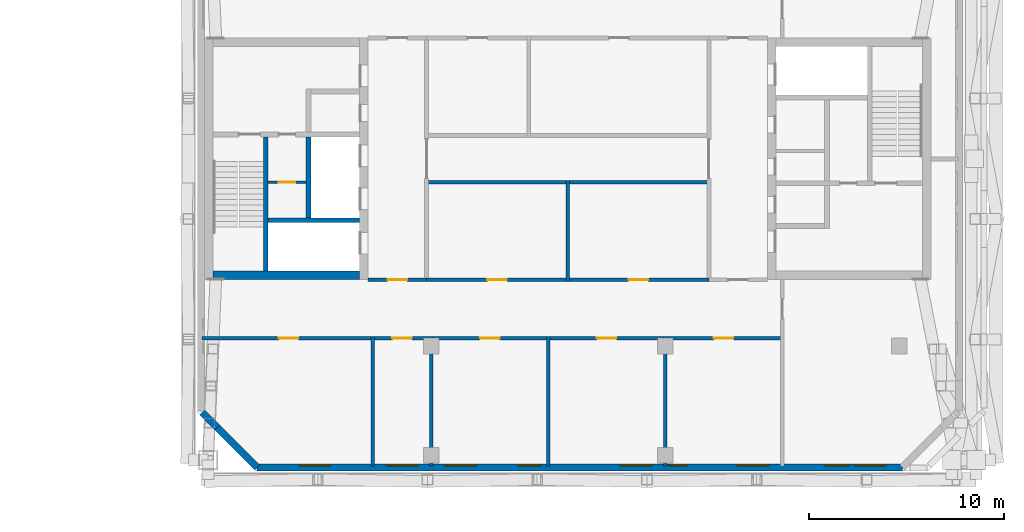
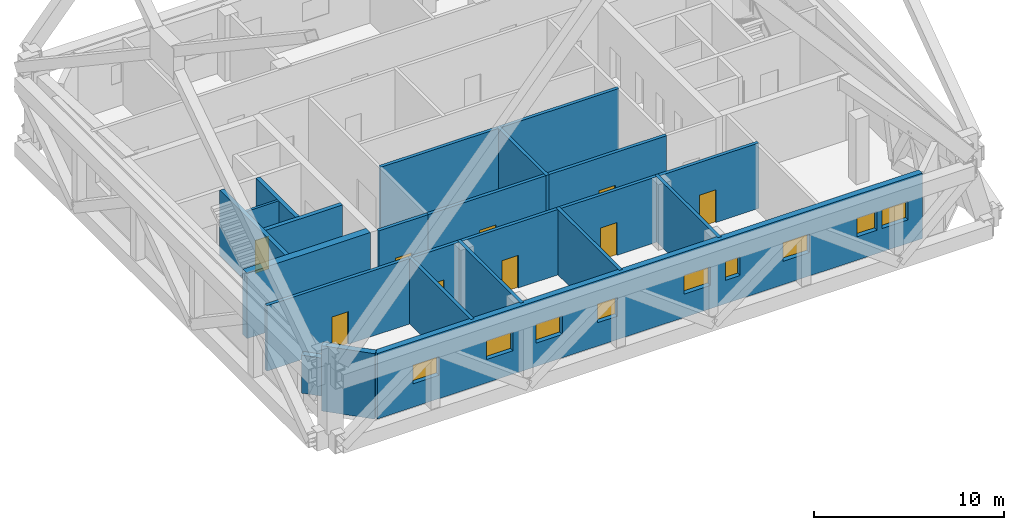
# One storey, part 11 of 20: 17 walls, 9 doors, 9 windows, 18 openings.
"""IFC4 building model written with IfcOpenShell, lengths in metres."""

from ifc_helpers import new_model, si_unit, direction, frame, frame_2d, origin, place, context, subcontext, project, spatial, rectangle, extrude, material, layer, layer_set, type_object, element, fill, save


model = new_model("IFC4")

# Units and contexts
model_context = context("Model", 3, precision=1e-05, world=origin(), true_north=direction((0.0, 1.0)))
body_context = subcontext(model_context, "Body", "Model", "MODEL_VIEW")
ifc_project = project(units=[si_unit("LENGTHUNIT", "METRE"), si_unit("AREAUNIT", "SQUARE_METRE"), si_unit("VOLUMEUNIT", "CUBIC_METRE"), si_unit("PLANEANGLEUNIT", "RADIAN"), si_unit("MASSUNIT", "GRAM", prefix="KILO")], contexts=[model_context])

# Site, building, storey
site_placement = place(None, origin())
site = spatial("IfcSite", under=ifc_project, at=site_placement, CompositionType="ELEMENT")
building_placement = place(site_placement, origin())
building = spatial("IfcBuilding", under=site, at=building_placement, Name="Tuart Gate Housing", CompositionType="ELEMENT")
storey_placement = place(building_placement, frame((0.0, 0.0, 167.10009765625)))
storey = spatial("IfcBuildingStorey", under=building, at=storey_placement, Name="L47", CompositionType="ELEMENT", Elevation=167.10009765625)

# Walls
ifc_material_1 = material(Name="Brick", Category="masonry")
ifc_layer_1 = layer(ifc_material_1, 0.360107421875)
ifc_layer_set_1 = layer_set([ifc_layer_1], Name="Brick pier and spandrel wall 360")
wall_type_1 = type_object("IfcWallType", Name="Brick pier and spandrel wall 360", PredefinedType="STANDARD", material=ifc_layer_set_1)
wall_1_placement = place(storey_placement, frame((131.25390625, 57.000732421875, 0.952880859375), z_axis=(0.0, 0.0, 1.0), x_axis=(0.706994764273, -0.707218780358, 0.0)))
element("IfcWall", 1, at=wall_1_placement, inside=storey, type_object=wall_type_1, Name="External wall B-SW L47", PredefinedType="STANDARD", context=body_context, shape_type="SweptSolid", body=[
    extrude(rectangle(XDim=1.08984375, YDim=0.360107421875, at=frame_2d((0.544921875, 0.0))), origin(), (0.0, 0.0, 1.0), 2.444091796875),
])
wall_2_placement = place(storey_placement, frame((132.0244140625, 56.22998046875, 0.0), z_axis=(0.0, 0.0, 1.0), x_axis=(0.707148882153, -0.707064677713, 0.0)))
element("IfcWall", 2, at=wall_2_placement, inside=storey, type_object=wall_type_1, Name="External wall B-SW L47", PredefinedType="STANDARD", context=body_context, shape_type="SweptSolid", body=[
    extrude(rectangle(XDim=2.8994140625, YDim=0.360107421875, at=frame_2d((1.44970703125, 0.0))), origin(), (0.0, 0.0, 1.0), 4.199951171875),
])

# Wall, openings, windows
wall_3_placement = place(storey_placement, frame((134.07470703125, 54.179931640625, 0.0), z_axis=(0.0, 0.0, 1.0), x_axis=(1.0, 0.0, 0.0)))
wall_3 = element("IfcWall", 3, at=wall_3_placement, inside=storey, type_object=wall_type_1, Name="External wall B-S L47", PredefinedType="STANDARD", context=body_context, shape_type="SweptSolid", body=[
    extrude(rectangle(XDim=33.100830078125, YDim=0.360107421875, at=frame_2d((16.55029296875, 0.0))), origin(), (0.0, 0.0, 1.0), 4.199951171875),
])
opening_1_placement = place(wall_3_placement, frame((2.14990234375, 0.0, 1.5)))
opening_1 = element("IfcOpeningElement", 4, at=opening_1_placement, cuts=wall_3, Name="Opening W3", PredefinedType="OPENING", context=body_context, shape_type="SweptSolid", body=[
    extrude(rectangle(XDim=1.60009765625, YDim=1.199951171875, at=frame_2d((0.800048828125, 0.60009765625))), frame((0.0, 0.18994140625, 0.0), z_axis=(0.0, -1.0, 0.0), x_axis=(1.0, 0.0, 0.0)), (0.0, 0.0, 1.0), 0.380126953125),
])
opening_2_placement = place(wall_3_placement, frame((6.62548828125, 0.0, 1.5)))
opening_2 = element("IfcOpeningElement", 5, at=opening_2_placement, cuts=wall_3, Name="Opening W3", PredefinedType="OPENING", context=body_context, shape_type="SweptSolid", body=[
    extrude(rectangle(XDim=1.60009765625, YDim=1.199951171875, at=frame_2d((0.800048828125, 0.60009765625))), frame((0.0, 0.18994140625, 0.0), z_axis=(0.0, -1.0, 0.0), x_axis=(1.0, 0.0, 0.0)), (0.0, 0.0, 1.0), 0.380126953125),
])
opening_3_placement = place(wall_3_placement, frame((9.62548828125, 0.0, 1.5)))
opening_3 = element("IfcOpeningElement", 6, at=opening_3_placement, cuts=wall_3, Name="Opening W3", PredefinedType="OPENING", context=body_context, shape_type="SweptSolid", body=[
    extrude(rectangle(XDim=1.60009765625, YDim=1.199951171875, at=frame_2d((0.800048828125, 0.60009765625))), frame((0.0, 0.18994140625, 0.0), z_axis=(0.0, -1.0, 0.0), x_axis=(1.0, 0.0, 0.0)), (0.0, 0.0, 1.0), 0.380126953125),
])
opening_4_placement = place(wall_3_placement, frame((13.37548828125, 0.0, 1.5)))
opening_4 = element("IfcOpeningElement", 7, at=opening_4_placement, cuts=wall_3, Name="Opening W3A", PredefinedType="OPENING", context=body_context, shape_type="SweptSolid", body=[
    extrude(rectangle(XDim=1.199951171875, YDim=1.199951171875, at=frame_2d((0.60009765625, 0.60009765625))), frame((0.0, 0.18994140625, 0.0), z_axis=(0.0, -1.0, 0.0), x_axis=(1.0, 0.0, 0.0)), (0.0, 0.0, 1.0), 0.380126953125),
])
opening_5_placement = place(wall_3_placement, frame((18.62548828125, 0.0, 1.5)))
opening_5 = element("IfcOpeningElement", 8, at=opening_5_placement, cuts=wall_3, Name="Opening W3", PredefinedType="OPENING", context=body_context, shape_type="SweptSolid", body=[
    extrude(rectangle(XDim=1.60009765625, YDim=1.199951171875, at=frame_2d((0.800048828125, 0.60009765625))), frame((0.0, 0.18994140625, 0.0), z_axis=(0.0, -1.0, 0.0), x_axis=(1.0, 0.0, 0.0)), (0.0, 0.0, 1.0), 0.380126953125),
])
opening_6_placement = place(wall_3_placement, frame((21.12548828125, 0.0, 1.5)))
opening_6 = element("IfcOpeningElement", 9, at=opening_6_placement, cuts=wall_3, Name="Opening W3B", PredefinedType="OPENING", context=body_context, shape_type="SweptSolid", body=[
    extrude(rectangle(XDim=0.89990234375, YDim=1.199951171875, at=frame_2d((0.449951171875, 0.60009765625))), frame((0.0, 0.18994140625, 0.0), z_axis=(0.0, -1.0, 0.0), x_axis=(1.0, 0.0, 0.0)), (0.0, 0.0, 1.0), 0.380126953125),
])
opening_7_placement = place(wall_3_placement, frame((24.62548828125, 0.0, 1.5)))
opening_7 = element("IfcOpeningElement", 10, at=opening_7_placement, cuts=wall_3, Name="Opening W3", PredefinedType="OPENING", context=body_context, shape_type="SweptSolid", body=[
    extrude(rectangle(XDim=1.60009765625, YDim=1.199951171875, at=frame_2d((0.800048828125, 0.60009765625))), frame((0.0, 0.18994140625, 0.0), z_axis=(0.0, -1.0, 0.0), x_axis=(1.0, 0.0, 0.0)), (0.0, 0.0, 1.0), 0.380126953125),
])
opening_8_placement = place(wall_3_placement, frame((29.12548828125, 0.0, 1.5)))
opening_8 = element("IfcOpeningElement", 11, at=opening_8_placement, cuts=wall_3, Name="Opening W3A", PredefinedType="OPENING", context=body_context, shape_type="SweptSolid", body=[
    extrude(rectangle(XDim=1.199951171875, YDim=1.199951171875, at=frame_2d((0.60009765625, 0.60009765625))), frame((0.0, 0.18994140625, 0.0), z_axis=(0.0, -1.0, 0.0), x_axis=(1.0, 0.0, 0.0)), (0.0, 0.0, 1.0), 0.380126953125),
])
opening_9_placement = place(wall_3_placement, frame((30.62548828125, 0.0, 1.5)))
opening_9 = element("IfcOpeningElement", 12, at=opening_9_placement, cuts=wall_3, Name="Opening W3", PredefinedType="OPENING", context=body_context, shape_type="SweptSolid", body=[
    extrude(rectangle(XDim=1.60009765625, YDim=1.199951171875, at=frame_2d((0.800048828125, 0.60009765625))), frame((0.0, 0.18994140625, 0.0), z_axis=(0.0, -1.0, 0.0), x_axis=(1.0, 0.0, 0.0)), (0.0, 0.0, 1.0), 0.380126953125),
])
ifc_material_2 = material(Name="Aluminium louvre blades", Category="aluminium")
window_type_1 = type_object("IfcWindowType", Name="Louvre window 1200 x 1200", PartitioningType="DOUBLE_PANEL_HORIZONTAL", PredefinedType="WINDOW", material=ifc_material_2)
window_1_placement = place(opening_4_placement, origin())
window_1 = element("IfcWindow", 13, at=window_1_placement, inside=storey, type_object=window_type_1, Name="Louvre W3A", OverallHeight=1.199951171875, OverallWidth=1.199951171875, PartitioningType="DOUBLE_PANEL_HORIZONTAL", PredefinedType="WINDOW", context=body_context, shape_type="SweptSolid", body=[
    extrude(rectangle(XDim=1.199951171875, YDim=1.199951171875, at=frame_2d((0.60009765625, 0.60009765625))), frame((0.0, 0.150146484375, 0.0), z_axis=(0.0, -1.0, 0.0), x_axis=(1.0, 0.0, 0.0)), (0.0, 0.0, 1.0), 0.06005859375),
])
fill(opening_4, window_1)
window_2_placement = place(opening_8_placement, origin())
window_2 = element("IfcWindow", 14, at=window_2_placement, inside=storey, type_object=window_type_1, Name="Louvre W3A", OverallHeight=1.199951171875, OverallWidth=1.199951171875, PartitioningType="DOUBLE_PANEL_HORIZONTAL", PredefinedType="WINDOW", context=body_context, shape_type="SweptSolid", body=[
    extrude(rectangle(XDim=1.199951171875, YDim=1.199951171875, at=frame_2d((0.60009765625, 0.60009765625))), frame((0.0, 0.150146484375, 0.0), z_axis=(0.0, -1.0, 0.0), x_axis=(1.0, 0.0, 0.0)), (0.0, 0.0, 1.0), 0.06005859375),
])
fill(opening_8, window_2)
ifc_material_3 = material(Name="Aluminium louvre blades", Category="aluminium")
window_type_2 = type_object("IfcWindowType", Name="Louvre window 1600 x 1200", PartitioningType="DOUBLE_PANEL_HORIZONTAL", PredefinedType="WINDOW", material=ifc_material_3)
window_3_placement = place(opening_1_placement, origin())
window_3 = element("IfcWindow", 15, at=window_3_placement, inside=storey, type_object=window_type_2, Name="Louvre W3", OverallHeight=1.199951171875, OverallWidth=1.60009765625, PartitioningType="DOUBLE_PANEL_HORIZONTAL", PredefinedType="WINDOW", context=body_context, shape_type="SweptSolid", body=[
    extrude(rectangle(XDim=1.60009765625, YDim=1.199951171875, at=frame_2d((0.800048828125, 0.60009765625))), frame((0.0, 0.150146484375, 0.0), z_axis=(0.0, -1.0, 0.0), x_axis=(1.0, 0.0, 0.0)), (0.0, 0.0, 1.0), 0.06005859375),
])
fill(opening_1, window_3)
window_4_placement = place(opening_2_placement, origin())
window_4 = element("IfcWindow", 16, at=window_4_placement, inside=storey, type_object=window_type_2, Name="Louvre W3", OverallHeight=1.199951171875, OverallWidth=1.60009765625, PartitioningType="DOUBLE_PANEL_HORIZONTAL", PredefinedType="WINDOW", context=body_context, shape_type="SweptSolid", body=[
    extrude(rectangle(XDim=1.60009765625, YDim=1.199951171875, at=frame_2d((0.800048828125, 0.60009765625))), frame((0.0, 0.150146484375, 0.0), z_axis=(0.0, -1.0, 0.0), x_axis=(1.0, 0.0, 0.0)), (0.0, 0.0, 1.0), 0.06005859375),
])
fill(opening_2, window_4)
window_5_placement = place(opening_3_placement, origin())
window_5 = element("IfcWindow", 17, at=window_5_placement, inside=storey, type_object=window_type_2, Name="Louvre W3", OverallHeight=1.199951171875, OverallWidth=1.60009765625, PartitioningType="DOUBLE_PANEL_HORIZONTAL", PredefinedType="WINDOW", context=body_context, shape_type="SweptSolid", body=[
    extrude(rectangle(XDim=1.60009765625, YDim=1.199951171875, at=frame_2d((0.800048828125, 0.60009765625))), frame((0.0, 0.150146484375, 0.0), z_axis=(0.0, -1.0, 0.0), x_axis=(1.0, 0.0, 0.0)), (0.0, 0.0, 1.0), 0.06005859375),
])
fill(opening_3, window_5)
window_6_placement = place(opening_5_placement, origin())
window_6 = element("IfcWindow", 18, at=window_6_placement, inside=storey, type_object=window_type_2, Name="Louvre W3", OverallHeight=1.199951171875, OverallWidth=1.60009765625, PartitioningType="DOUBLE_PANEL_HORIZONTAL", PredefinedType="WINDOW", context=body_context, shape_type="SweptSolid", body=[
    extrude(rectangle(XDim=1.60009765625, YDim=1.199951171875, at=frame_2d((0.800048828125, 0.60009765625))), frame((0.0, 0.150146484375, 0.0), z_axis=(0.0, -1.0, 0.0), x_axis=(1.0, 0.0, 0.0)), (0.0, 0.0, 1.0), 0.06005859375),
])
fill(opening_5, window_6)
window_7_placement = place(opening_7_placement, origin())
window_7 = element("IfcWindow", 19, at=window_7_placement, inside=storey, type_object=window_type_2, Name="Louvre W3", OverallHeight=1.199951171875, OverallWidth=1.60009765625, PartitioningType="DOUBLE_PANEL_HORIZONTAL", PredefinedType="WINDOW", context=body_context, shape_type="SweptSolid", body=[
    extrude(rectangle(XDim=1.60009765625, YDim=1.199951171875, at=frame_2d((0.800048828125, 0.60009765625))), frame((0.0, 0.150146484375, 0.0), z_axis=(0.0, -1.0, 0.0), x_axis=(1.0, 0.0, 0.0)), (0.0, 0.0, 1.0), 0.06005859375),
])
fill(opening_7, window_7)
window_8_placement = place(opening_9_placement, origin())
window_8 = element("IfcWindow", 20, at=window_8_placement, inside=storey, type_object=window_type_2, Name="Louvre W3", OverallHeight=1.199951171875, OverallWidth=1.60009765625, PartitioningType="DOUBLE_PANEL_HORIZONTAL", PredefinedType="WINDOW", context=body_context, shape_type="SweptSolid", body=[
    extrude(rectangle(XDim=1.60009765625, YDim=1.199951171875, at=frame_2d((0.800048828125, 0.60009765625))), frame((0.0, 0.150146484375, 0.0), z_axis=(0.0, -1.0, 0.0), x_axis=(1.0, 0.0, 0.0)), (0.0, 0.0, 1.0), 0.06005859375),
])
fill(opening_9, window_8)
ifc_material_4 = material(Name="Aluminium louvre blades", Category="aluminium")
window_type_3 = type_object("IfcWindowType", Name="Louvre window 900 x 1200", PartitioningType="DOUBLE_PANEL_HORIZONTAL", PredefinedType="WINDOW", material=ifc_material_4)
window_9_placement = place(opening_6_placement, origin())
window_9 = element("IfcWindow", 21, at=window_9_placement, inside=storey, type_object=window_type_3, Name="Louvre W3B", OverallHeight=1.199951171875, OverallWidth=0.89990234375, PartitioningType="DOUBLE_PANEL_HORIZONTAL", PredefinedType="WINDOW", context=body_context, shape_type="SweptSolid", body=[
    extrude(rectangle(XDim=0.89990234375, YDim=1.199951171875, at=frame_2d((0.449951171875, 0.60009765625))), frame((0.0, 0.150146484375, 0.0), z_axis=(0.0, -1.0, 0.0), x_axis=(1.0, 0.0, 0.0)), (0.0, 0.0, 1.0), 0.06005859375),
])
fill(opening_6, window_9)

# Wall, opening, door
ifc_material_5 = material(Name="Plasterboard partition")
ifc_layer_2 = layer(ifc_material_5, 0.14990234375)
ifc_layer_set_2 = layer_set([ifc_layer_2], Name="Core partition 150")
wall_type_2 = type_object("IfcWallType", Name="Core partition 150", PredefinedType="PARTITIONING", material=ifc_layer_set_2)
wall_4_placement = place(storey_placement, frame((136.5849609375, 68.800048828125, 0.0), z_axis=(0.0, 0.0, 1.0), x_axis=(-1.0, 0.0, 0.0)))
wall_4 = element("IfcWall", 22, at=wall_4_placement, inside=storey, type_object=wall_type_2, Name="Core partition BG.2", PredefinedType="PARTITIONING", context=body_context, shape_type="SweptSolid", body=[
    extrude(rectangle(XDim=1.949951171875, YDim=0.14990234375, at=frame_2d((0.97509765625, 0.0))), origin(), (0.0, 0.0, 1.0), 4.199951171875),
])
opening_10_placement = place(wall_4_placement, frame((0.550048828125, 0.0, 0.0)))
opening_10 = element("IfcOpeningElement", 23, at=opening_10_placement, cuts=wall_4, Name="Opening D3485", PredefinedType="OPENING", context=body_context, shape_type="SweptSolid", body=[
    extrude(rectangle(XDim=0.85009765625, YDim=2.10009765625, at=frame_2d((0.425048828125, 1.050048828125))), frame((0.0, 0.0849609375, 0.0), z_axis=(0.0, -1.0, 0.0), x_axis=(1.0, 0.0, 0.0)), (0.0, 0.0, 1.0), 0.169921875),
])
ifc_material_6 = material(Name="Steel fire door", Category="steel")
door_type_1 = type_object("IfcDoorType", Name="Service door 850 x 2100 RH", OperationType="SINGLE_SWING_RIGHT", PredefinedType="DOOR", material=ifc_material_6)
door_1_placement = place(opening_10_placement, frame((0.85009765625, 0.0, 0.0), z_axis=(0.0, 0.0, 1.0), x_axis=(-1.0, 0.0, 0.0)))
door_1 = element("IfcDoor", 24, at=door_1_placement, inside=storey, type_object=door_type_1, Name="Service room door BG.W2", OperationType="SINGLE_SWING_RIGHT", OverallHeight=2.10009765625, OverallWidth=0.85009765625, PredefinedType="DOOR", context=body_context, shape_type="SweptSolid", body=[
    extrude(rectangle(XDim=0.85009765625, YDim=2.10009765625, at=frame_2d((0.425048828125, 1.050048828125))), frame((0.0, 0.025146484375, 0.0), z_axis=(0.0, -1.0, 0.0), x_axis=(1.0, 0.0, 0.0)), (0.0, 0.0, 1.0), 0.050048828125),
])
fill(opening_10, door_1)

# Walls
ifc_material_7 = material(Name="Concrete C40", Category="concrete")
ifc_layer_3 = layer(ifc_material_7, 0.25)
ifc_layer_set_3 = layer_set([ifc_layer_3], Name="Core wall 250 C40")
wall_type_3 = type_object("IfcWallType", Name="Core wall 250 C40", PredefinedType="SHEAR", material=ifc_layer_set_3)
wall_5_placement = place(storey_placement, frame((139.31005859375, 66.85009765625, 0.0), z_axis=(0.0, 0.0, 1.0), x_axis=(-1.0, 0.0, 0.0)))
element("IfcWall", 25, at=wall_5_placement, inside=storey, type_object=wall_type_3, Name="Core wall BG.1", PredefinedType="SHEAR", context=body_context, shape_type="SweptSolid", body=[
    extrude(rectangle(XDim=4.675048828125, YDim=0.25, at=frame_2d((2.33740234375, 0.0))), origin(), (0.0, 0.0, 1.0), 4.199951171875),
])
wall_6_placement = place(storey_placement, frame((136.7099609375, 66.97509765625, 0.0), z_axis=(0.0, 0.0, 1.0), x_axis=(0.0, 1.0, 0.0)))
element("IfcWall", 26, at=wall_6_placement, inside=storey, type_object=wall_type_3, Name="Core wall BG.5", PredefinedType="SHEAR", context=body_context, shape_type="SweptSolid", body=[
    extrude(rectangle(XDim=4.14990234375, YDim=0.25, at=frame_2d((2.074951171875, 0.0))), origin(), (0.0, 0.0, 1.0), 4.199951171875),
])
wall_7_placement = place(storey_placement, frame((134.510009765625, 64.25, 0.0), z_axis=(0.0, 0.0, 1.0), x_axis=(0.0, 1.0, 0.0)))
element("IfcWall", 27, at=wall_7_placement, inside=storey, type_object=wall_type_3, Name="Core wall BG.7", PredefinedType="SHEAR", context=body_context, shape_type="SweptSolid", body=[
    extrude(rectangle(XDim=6.875, YDim=0.25, at=frame_2d((3.4375, 0.0))), origin(), (0.0, 0.0, 1.0), 4.199951171875),
])
ifc_material_8 = material(Name="Concrete C40", Category="concrete")
ifc_layer_4 = layer(ifc_material_8, 0.449951171875)
ifc_layer_set_4 = layer_set([ifc_layer_4], Name="Core wall 450 C40")
wall_type_4 = type_object("IfcWallType", Name="Core wall 450 C40", PredefinedType="SHEAR", material=ifc_layer_set_4)
wall_8_placement = place(storey_placement, frame((139.31005859375, 64.02490234375, 0.0), z_axis=(0.0, 0.0, 1.0), x_axis=(-1.0, 0.0, 0.0)))
element("IfcWall", 28, at=wall_8_placement, inside=storey, type_object=wall_type_4, Name="Core wall BG south", PredefinedType="SHEAR", context=body_context, shape_type="SweptSolid", body=[
    extrude(rectangle(XDim=7.5, YDim=0.449951171875, at=frame_2d((3.75, 0.0))), origin(), (0.0, 0.0, 1.0), 4.199951171875),
])

# Wall, openings, doors
ifc_material_9 = material(Name="Concrete masonry 15 MPa", Category="masonry")
ifc_layer_5 = layer(ifc_material_9, 0.199951171875)
ifc_layer_set_5 = layer_set([ifc_layer_5], Name="Enclosure wall masonry 200")
wall_type_5 = type_object("IfcWallType", Name="Enclosure wall masonry 200", PredefinedType="PARTITIONING", material=ifc_layer_set_5)
wall_9_placement = place(storey_placement, frame((131.239990234375, 60.800048828125, 0.0), z_axis=(0.0, 0.0, 1.0), x_axis=(1.0, 0.0, 0.0)))
wall_9 = element("IfcWall", 29, at=wall_9_placement, inside=storey, type_object=wall_type_5, Name="Enclosure wall masonry 200", PredefinedType="PARTITIONING", context=body_context, shape_type="SweptSolid", body=[
    extrude(rectangle(XDim=29.860107421875, YDim=0.199951171875, at=frame_2d((14.93017578125, 0.0))), origin(), (0.0, 0.0, 1.0), 4.199951171875),
])
opening_11_placement = place(wall_9_placement, frame((3.93994140625, 0.0, 0.0)))
opening_11 = element("IfcOpeningElement", 30, at=opening_11_placement, cuts=wall_9, Name="Opening D3492", PredefinedType="OPENING", context=body_context, shape_type="SweptSolid", body=[
    extrude(rectangle(XDim=1.0, YDim=2.10009765625, at=frame_2d((0.5, 1.050048828125))), frame((0.0, 0.10986328125, 0.0), z_axis=(0.0, -1.0, 0.0), x_axis=(1.0, 0.0, 0.0)), (0.0, 0.0, 1.0), 0.219970703125),
])
opening_12_placement = place(wall_9_placement, frame((9.760009765625, 0.0, 0.0)))
opening_12 = element("IfcOpeningElement", 31, at=opening_12_placement, cuts=wall_9, Name="Opening D3493", PredefinedType="OPENING", context=body_context, shape_type="SweptSolid", body=[
    extrude(rectangle(XDim=1.0, YDim=2.10009765625, at=frame_2d((0.5, 1.050048828125))), frame((0.0, 0.10986328125, 0.0), z_axis=(0.0, -1.0, 0.0), x_axis=(1.0, 0.0, 0.0)), (0.0, 0.0, 1.0), 0.219970703125),
])
opening_13_placement = place(wall_9_placement, frame((14.260009765625, 0.0, 0.0)))
opening_13 = element("IfcOpeningElement", 32, at=opening_13_placement, cuts=wall_9, Name="Opening D3494", PredefinedType="OPENING", context=body_context, shape_type="SweptSolid", body=[
    extrude(rectangle(XDim=1.0, YDim=2.10009765625, at=frame_2d((0.5, 1.050048828125))), frame((0.0, 0.10986328125, 0.0), z_axis=(0.0, -1.0, 0.0), x_axis=(1.0, 0.0, 0.0)), (0.0, 0.0, 1.0), 0.219970703125),
])
opening_14_placement = place(wall_9_placement, frame((20.260009765625, 0.0, 0.0)))
opening_14 = element("IfcOpeningElement", 33, at=opening_14_placement, cuts=wall_9, Name="Opening D3495", PredefinedType="OPENING", context=body_context, shape_type="SweptSolid", body=[
    extrude(rectangle(XDim=1.0, YDim=2.10009765625, at=frame_2d((0.5, 1.050048828125))), frame((0.0, 0.10986328125, 0.0), z_axis=(0.0, -1.0, 0.0), x_axis=(1.0, 0.0, 0.0)), (0.0, 0.0, 1.0), 0.219970703125),
])
opening_15_placement = place(wall_9_placement, frame((26.260009765625, 0.0, 0.0)))
opening_15 = element("IfcOpeningElement", 34, at=opening_15_placement, cuts=wall_9, Name="Opening D3496", PredefinedType="OPENING", context=body_context, shape_type="SweptSolid", body=[
    extrude(rectangle(XDim=1.0, YDim=2.10009765625, at=frame_2d((0.5, 1.050048828125))), frame((0.0, 0.10986328125, 0.0), z_axis=(0.0, -1.0, 0.0), x_axis=(1.0, 0.0, 0.0)), (0.0, 0.0, 1.0), 0.219970703125),
])
ifc_material_10 = material(Name="Timber door leaf in steel frame", Category="steel")
door_type_2 = type_object("IfcDoorType", Name="Fire door 1000 RH", OperationType="SINGLE_SWING_RIGHT", PredefinedType="DOOR", material=ifc_material_10)
door_2_placement = place(opening_11_placement, frame((1.0, 0.0, 0.0), z_axis=(0.0, 0.0, 1.0), x_axis=(-1.0, 0.0, 0.0)))
door_2 = element("IfcDoor", 35, at=door_2_placement, inside=storey, type_object=door_type_2, Name="Fire door 1000", OperationType="SINGLE_SWING_RIGHT", OverallHeight=2.10009765625, OverallWidth=1.0, PredefinedType="DOOR", context=body_context, shape_type="SweptSolid", body=[
    extrude(rectangle(XDim=1.0, YDim=2.10009765625, at=frame_2d((0.5, 1.050048828125))), frame((0.0, 0.025146484375, 0.0), z_axis=(0.0, -1.0, 0.0), x_axis=(1.0, 0.0, 0.0)), (0.0, 0.0, 1.0), 0.050048828125),
])
fill(opening_11, door_2)
door_3_placement = place(opening_12_placement, frame((1.0, 0.0, 0.0), z_axis=(0.0, 0.0, 1.0), x_axis=(-1.0, 0.0, 0.0)))
door_3 = element("IfcDoor", 36, at=door_3_placement, inside=storey, type_object=door_type_2, Name="Fire door 1000", OperationType="SINGLE_SWING_RIGHT", OverallHeight=2.10009765625, OverallWidth=1.0, PredefinedType="DOOR", context=body_context, shape_type="SweptSolid", body=[
    extrude(rectangle(XDim=1.0, YDim=2.10009765625, at=frame_2d((0.5, 1.050048828125))), frame((0.0, 0.025146484375, 0.0), z_axis=(0.0, -1.0, 0.0), x_axis=(1.0, 0.0, 0.0)), (0.0, 0.0, 1.0), 0.050048828125),
])
fill(opening_12, door_3)
door_4_placement = place(opening_13_placement, frame((1.0, 0.0, 0.0), z_axis=(0.0, 0.0, 1.0), x_axis=(-1.0, 0.0, 0.0)))
door_4 = element("IfcDoor", 37, at=door_4_placement, inside=storey, type_object=door_type_2, Name="Fire door 1000", OperationType="SINGLE_SWING_RIGHT", OverallHeight=2.10009765625, OverallWidth=1.0, PredefinedType="DOOR", context=body_context, shape_type="SweptSolid", body=[
    extrude(rectangle(XDim=1.0, YDim=2.10009765625, at=frame_2d((0.5, 1.050048828125))), frame((0.0, 0.025146484375, 0.0), z_axis=(0.0, -1.0, 0.0), x_axis=(1.0, 0.0, 0.0)), (0.0, 0.0, 1.0), 0.050048828125),
])
fill(opening_13, door_4)
door_5_placement = place(opening_14_placement, frame((1.0, 0.0, 0.0), z_axis=(0.0, 0.0, 1.0), x_axis=(-1.0, 0.0, 0.0)))
door_5 = element("IfcDoor", 38, at=door_5_placement, inside=storey, type_object=door_type_2, Name="Fire door 1000", OperationType="SINGLE_SWING_RIGHT", OverallHeight=2.10009765625, OverallWidth=1.0, PredefinedType="DOOR", context=body_context, shape_type="SweptSolid", body=[
    extrude(rectangle(XDim=1.0, YDim=2.10009765625, at=frame_2d((0.5, 1.050048828125))), frame((0.0, 0.025146484375, 0.0), z_axis=(0.0, -1.0, 0.0), x_axis=(1.0, 0.0, 0.0)), (0.0, 0.0, 1.0), 0.050048828125),
])
fill(opening_14, door_5)
door_6_placement = place(opening_15_placement, frame((1.0, 0.0, 0.0), z_axis=(0.0, 0.0, 1.0), x_axis=(-1.0, 0.0, 0.0)))
door_6 = element("IfcDoor", 39, at=door_6_placement, inside=storey, type_object=door_type_2, Name="Fire door 1000", OperationType="SINGLE_SWING_RIGHT", OverallHeight=2.10009765625, OverallWidth=1.0, PredefinedType="DOOR", context=body_context, shape_type="SweptSolid", body=[
    extrude(rectangle(XDim=1.0, YDim=2.10009765625, at=frame_2d((0.5, 1.050048828125))), frame((0.0, 0.025146484375, 0.0), z_axis=(0.0, -1.0, 0.0), x_axis=(1.0, 0.0, 0.0)), (0.0, 0.0, 1.0), 0.050048828125),
])
fill(opening_15, door_6)

wall_10_placement = place(storey_placement, frame((142.760009765625, 63.800048828125, 0.0), z_axis=(0.0, 0.0, 1.0), x_axis=(1.0, 0.0, 0.0)))
wall_10 = element("IfcWall", 40, at=wall_10_placement, inside=storey, type_object=wall_type_5, Name="Enclosure wall masonry 200", PredefinedType="PARTITIONING", context=body_context, shape_type="SweptSolid", body=[
    extrude(rectangle(XDim=14.47998046875, YDim=0.199951171875, at=frame_2d((7.239990234375, 0.0))), origin(), (0.0, 0.0, 1.0), 4.199951171875),
])
opening_16_placement = place(wall_10_placement, frame((3.1201171875, 0.0, 0.0)))
opening_16 = element("IfcOpeningElement", 41, at=opening_16_placement, cuts=wall_10, Name="Opening D3489", PredefinedType="OPENING", context=body_context, shape_type="SweptSolid", body=[
    extrude(rectangle(XDim=1.0, YDim=2.10009765625, at=frame_2d((0.5, 1.050048828125))), frame((0.0, 0.10986328125, 0.0), z_axis=(0.0, -1.0, 0.0), x_axis=(1.0, 0.0, 0.0)), (0.0, 0.0, 1.0), 0.219970703125),
])
opening_17_placement = place(wall_10_placement, frame((10.360107421875, 0.0, 0.0)))
opening_17 = element("IfcOpeningElement", 42, at=opening_17_placement, cuts=wall_10, Name="Opening D3490", PredefinedType="OPENING", context=body_context, shape_type="SweptSolid", body=[
    extrude(rectangle(XDim=1.0, YDim=2.10009765625, at=frame_2d((0.5, 1.050048828125))), frame((0.0, 0.10986328125, 0.0), z_axis=(0.0, -1.0, 0.0), x_axis=(1.0, 0.0, 0.0)), (0.0, 0.0, 1.0), 0.219970703125),
])
ifc_material_11 = material(Name="Timber door leaf in steel frame", Category="steel")
door_type_3 = type_object("IfcDoorType", Name="Fire door 1000", OperationType="SINGLE_SWING_LEFT", PredefinedType="DOOR", material=ifc_material_11)
door_7_placement = place(opening_16_placement, origin())
door_7 = element("IfcDoor", 43, at=door_7_placement, inside=storey, type_object=door_type_3, Name="Fire door 1000", OperationType="SINGLE_SWING_LEFT", OverallHeight=2.10009765625, OverallWidth=1.0, PredefinedType="DOOR", context=body_context, shape_type="SweptSolid", body=[
    extrude(rectangle(XDim=1.0, YDim=2.10009765625, at=frame_2d((0.5, 1.050048828125))), frame((0.0, 0.02490234375, 0.0), z_axis=(0.0, -1.0, 0.0), x_axis=(1.0, 0.0, 0.0)), (0.0, 0.0, 1.0), 0.050048828125),
])
fill(opening_16, door_7)
door_8_placement = place(opening_17_placement, origin())
door_8 = element("IfcDoor", 44, at=door_8_placement, inside=storey, type_object=door_type_3, Name="Fire door 1000", OperationType="SINGLE_SWING_LEFT", OverallHeight=2.10009765625, OverallWidth=1.0, PredefinedType="DOOR", context=body_context, shape_type="SweptSolid", body=[
    extrude(rectangle(XDim=1.0, YDim=2.10009765625, at=frame_2d((0.5, 1.050048828125))), frame((0.0, 0.02490234375, 0.0), z_axis=(0.0, -1.0, 0.0), x_axis=(1.0, 0.0, 0.0)), (0.0, 0.0, 1.0), 0.050048828125),
])
fill(opening_17, door_8)

# Wall, opening, door
wall_11_placement = place(storey_placement, frame((139.760009765625, 63.800048828125, 0.0), z_axis=(0.0, 0.0, 1.0), x_axis=(1.0, 0.0, 0.0)))
wall_11 = element("IfcWall", 45, at=wall_11_placement, inside=storey, type_object=wall_type_5, Name="Enclosure wall masonry 200", PredefinedType="PARTITIONING", context=body_context, shape_type="SweptSolid", body=[
    extrude(rectangle(XDim=3.0, YDim=0.199951171875, at=frame_2d((1.5, 0.0))), origin(), (0.0, 0.0, 1.0), 4.199951171875),
])
opening_18_placement = place(wall_11_placement, frame((1.0, 0.0, 0.0)))
opening_18 = element("IfcOpeningElement", 46, at=opening_18_placement, cuts=wall_11, Name="Opening D3488", PredefinedType="OPENING", context=body_context, shape_type="SweptSolid", body=[
    extrude(rectangle(XDim=1.0, YDim=2.10009765625, at=frame_2d((0.5, 1.050048828125))), frame((0.0, 0.10986328125, 0.0), z_axis=(0.0, -1.0, 0.0), x_axis=(1.0, 0.0, 0.0)), (0.0, 0.0, 1.0), 0.219970703125),
])
ifc_material_12 = material(Name="Timber door leaf in steel frame", Category="steel")
door_type_4 = type_object("IfcDoorType", Name="Lobby door 1000 RH", OperationType="SINGLE_SWING_RIGHT", PredefinedType="DOOR", material=ifc_material_12)
door_9_placement = place(opening_18_placement, origin())
door_9 = element("IfcDoor", 47, at=door_9_placement, inside=storey, type_object=door_type_4, Name="Lobby door 1000", OperationType="SINGLE_SWING_RIGHT", OverallHeight=2.10009765625, OverallWidth=1.0, PredefinedType="DOOR", context=body_context, shape_type="SweptSolid", body=[
    extrude(rectangle(XDim=1.0, YDim=2.10009765625, at=frame_2d((0.5, 1.050048828125))), frame((0.0, 0.02490234375, 0.0), z_axis=(0.0, -1.0, 0.0), x_axis=(1.0, 0.0, 0.0)), (0.0, 0.0, 1.0), 0.050048828125),
])
fill(opening_18, door_9)

# Walls
wall_12_placement = place(storey_placement, frame((142.760009765625, 68.800048828125, 0.0), z_axis=(0.0, 0.0, 1.0), x_axis=(1.0, 0.0, 0.0)))
element("IfcWall", 48, at=wall_12_placement, inside=storey, type_object=wall_type_5, Name="Enclosure wall masonry 200", PredefinedType="PARTITIONING", context=body_context, shape_type="SweptSolid", body=[
    extrude(rectangle(XDim=14.47998046875, YDim=0.199951171875, at=frame_2d((7.239990234375, 0.0))), origin(), (0.0, 0.0, 1.0), 4.199951171875),
])
for number, where, z_axis, x_axis, name in (
    (49, (140.0, 54.239990234375, 0.0), (0.0, 0.0, 1.0), (0.0, 1.0, 0.0), "Enclosure wall masonry 200"),
    (50, (143.0, 54.239990234375, 0.0), (0.0, 0.0, 1.0), (0.0, 1.0, 0.0), "Enclosure wall masonry 200"),
    (51, (149.0, 54.239990234375, 0.0), (0.0, 0.0, 1.0), (0.0, 1.0, 0.0), "Enclosure wall masonry 200"),
):
    element("IfcWall", number, at=place(storey_placement, frame(where, z_axis=z_axis, x_axis=x_axis)), inside=storey, type_object=wall_type_5, Name=name, PredefinedType="PARTITIONING", context=body_context, shape_type="SweptSolid", body=[
        extrude(rectangle(XDim=6.659912109375, YDim=0.199951171875, at=frame_2d((3.330078125, 0.0))), origin(), (0.0, 0.0, 1.0), 4.199951171875),
    ])
wall_13_placement = place(storey_placement, frame((150.0, 63.699951171875, 0.0), z_axis=(0.0, 0.0, 1.0), x_axis=(0.0, 1.0, 0.0)))
element("IfcWall", 52, at=wall_13_placement, inside=storey, type_object=wall_type_5, Name="Enclosure wall masonry 200", PredefinedType="PARTITIONING", context=body_context, shape_type="SweptSolid", body=[
    extrude(rectangle(XDim=5.199951171875, YDim=0.199951171875, at=frame_2d((2.60009765625, 0.0))), origin(), (0.0, 0.0, 1.0), 4.199951171875),
])
wall_14_placement = place(storey_placement, frame((155.0, 54.239990234375, 0.0), z_axis=(0.0, 0.0, 1.0), x_axis=(0.0, 1.0, 0.0)))
element("IfcWall", 53, at=wall_14_placement, inside=storey, type_object=wall_type_5, Name="Enclosure wall masonry 200", PredefinedType="PARTITIONING", context=body_context, shape_type="SweptSolid", body=[
    extrude(rectangle(XDim=6.659912109375, YDim=0.199951171875, at=frame_2d((3.330078125, 0.0))), origin(), (0.0, 0.0, 1.0), 4.199951171875),
])

save(model, "model.ifc")
